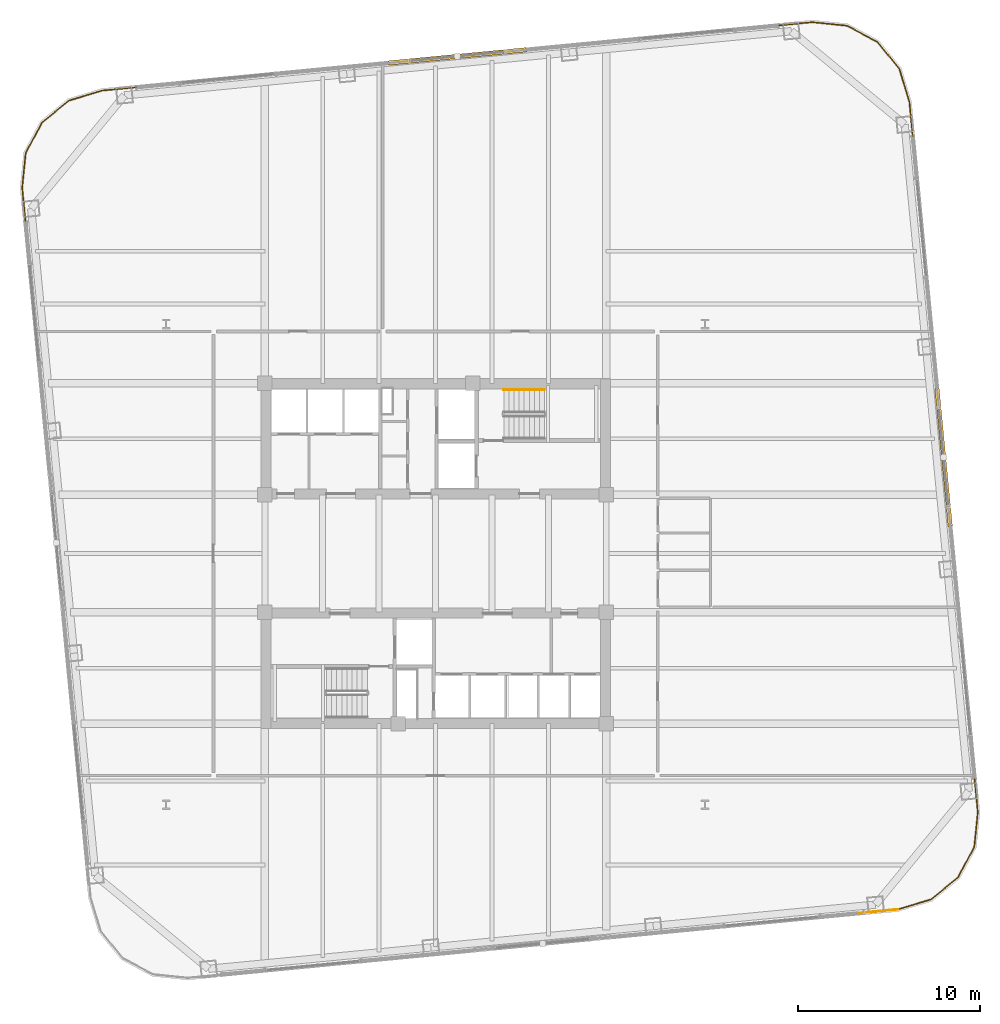
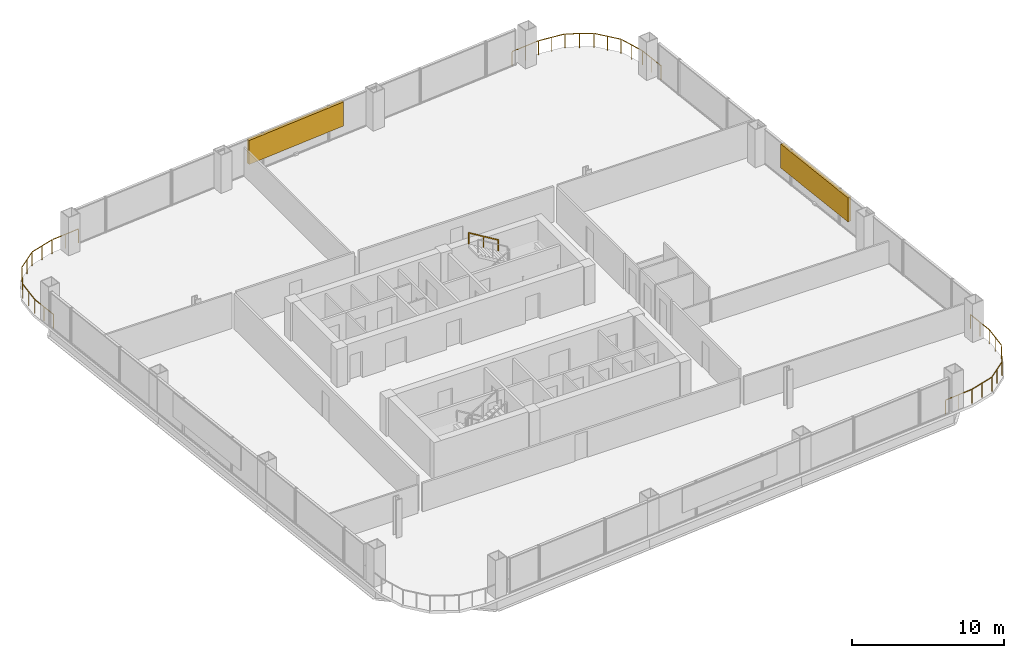
# One storey, part 26 of 26: 5 railings, 2 shading devices.
"""IFC4 building model written with IfcOpenShell, lengths in metres."""

from ifc_helpers import new_model, si_unit, direction, frame, origin, origin_2d, place, context, subcontext, project, spatial, rectangle, extrude, material, type_object, element, save


model = new_model("IFC4")

# Units and contexts
model_context = context("Model", 3, precision=1e-05, world=origin(), true_north=direction((0.0, 1.0)))
body_context = subcontext(model_context, "Body", "Model", "MODEL_VIEW")
ifc_project = project(units=[si_unit("LENGTHUNIT", "METRE"), si_unit("AREAUNIT", "SQUARE_METRE"), si_unit("VOLUMEUNIT", "CUBIC_METRE"), si_unit("PLANEANGLEUNIT", "RADIAN"), si_unit("MASSUNIT", "GRAM", prefix="KILO")], contexts=[model_context])

# Site, building, storey
site_placement = place(None, origin())
site = spatial("IfcSite", under=ifc_project, at=site_placement, CompositionType="ELEMENT")
building_placement = place(site_placement, origin())
building = spatial("IfcBuilding", under=site, at=building_placement, Name="Qhalaya Broadcast Tower", CompositionType="ELEMENT")
storey_placement = place(building_placement, frame((0.0, 0.0, 72.5)))
storey = spatial("IfcBuildingStorey", under=building, at=storey_placement, Name="L20", CompositionType="ELEMENT", Elevation=72.5)

# Railings
ifc_material_1 = material(Name="Powder-Coated Galvanised Steel", Category="steel")
railing_type_1 = type_object("IfcRailingType", Name="Stair Wall Handrail 900", PredefinedType="HANDRAIL", material=ifc_material_1)
railing_1_placement = place(storey_placement, frame((5.989990234375, 9.590087890625, 1.6943359375)))
element("IfcRailing", 1, at=railing_1_placement, inside=storey, type_object=railing_type_1, Name="L20 ST-1 Stair Handrail 2", PredefinedType="HANDRAIL", context=body_context, shape_type="SweptSolid", body=[
    extrude(rectangle(XDim=0.048095703125, YDim=0.048095703125, at=origin_2d()), frame((0.0, 0.0, 0.8759765625), z_axis=(-0.855512035549, 0.0, 0.517782924622), x_axis=(0.0, -1.0, 0.0)), (0.0, 0.0, 1.0), 2.618408203125),
    extrude(rectangle(XDim=0.0419921875, YDim=0.0419921875, at=origin_2d()), origin(), (0.0, 0.0, 1.0), 0.849853515625),
    extrude(rectangle(XDim=0.0419921875, YDim=0.0419921875, at=origin_2d()), frame((-1.1201171875, 0.0, 0.677734375)), (0.0, 0.0, 1.0), 0.849853515625),
    extrude(rectangle(XDim=0.0419921875, YDim=0.0419921875, at=origin_2d()), frame((-2.239990234375, 0.0, 1.355712890625)), (0.0, 0.0, 1.0), 0.849853515625),
])
railing_type_2 = type_object("IfcRailingType", Name="Terrace, Sky-Pool & Lookout Glass Balustrade 1150", PredefinedType="BALUSTRADE", material=ifc_material_1)
railing_2_placement = place(storey_placement, frame((25.38427734375, -18.949951171875, 0.0)))
element("IfcRailing", 2, at=railing_2_placement, inside=storey, type_object=railing_type_2, Name="L20 Rounded Corner Perimeter Guard 01", PredefinedType="BALUSTRADE", context=body_context, shape_type="SweptSolid", body=[
    extrude(rectangle(XDim=0.048095703125, YDim=0.048095703125, at=origin_2d()), frame((0.0, 0.0, 1.1259765625), z_axis=(-0.995402268864, -0.095782687057, 0.0), x_axis=(0.095782687057, -0.995402268864, 0.0)), (0.0, 0.0, 1.0), 2.1181640625),
    extrude(rectangle(XDim=0.0419921875, YDim=0.0419921875, at=origin_2d()), origin(), (0.0, 0.0, 1.0), 1.099853515625),
    extrude(rectangle(XDim=0.0419921875, YDim=0.0419921875, at=origin_2d()), frame((-1.05419921875, -0.1015625, 0.0)), (0.0, 0.0, 1.0), 1.099853515625),
    extrude(rectangle(XDim=0.0419921875, YDim=0.0419921875, at=origin_2d()), frame((-2.1083984375, -0.202880859375, 0.0)), (0.0, 0.0, 1.0), 1.099853515625),
])
railing_3_placement = place(storey_placement, frame((-22.501708984375, 18.583251953125, 0.0)))
element("IfcRailing", 3, at=railing_3_placement, inside=storey, type_object=railing_type_2, Name="L20 Rounded Corner Perimeter Guard 03", PredefinedType="BALUSTRADE", context=body_context, shape_type="SweptSolid", body=[
    extrude(rectangle(XDim=0.048095703125, YDim=0.048095703125, at=origin_2d()), frame((0.0, 0.0, 1.1259765625), z_axis=(-0.095782687057, 0.995402268864, 0.0), x_axis=(-0.995402268864, -0.095782687057, 0.0)), (0.0, 0.0, 1.0), 2.08935546875),
    extrude(rectangle(XDim=0.048095703125, YDim=0.048095703125, at=origin_2d()), frame((-0.199951171875, 2.13720703125, 1.1259765625), z_axis=(0.100071682341, 0.994980230152, 0.0), x_axis=(-0.994980230152, 0.100071682341, 0.0)), (0.0, 0.0, 1.0), 1.857421875),
    extrude(rectangle(XDim=0.048095703125, YDim=0.048095703125, at=origin_2d()), frame((0.00244140625, 4.039306640625, 1.1259765625), z_axis=(0.473342342286, 0.880878554058, 0.0), x_axis=(-0.880878554058, 0.473342342286, 0.0)), (0.0, 0.0, 1.0), 1.845458984375),
    extrude(rectangle(XDim=0.048095703125, YDim=0.048095703125, at=origin_2d()), frame((0.912109375, 5.708740234375, 1.1259765625), z_axis=(0.774420039683, 0.632671796541, 0.0), x_axis=(-0.632671796541, 0.774420039683, 0.0)), (0.0, 0.0, 1.0), 1.845458984375),
    extrude(rectangle(XDim=0.048095703125, YDim=0.048095703125, at=origin_2d()), frame((2.39111328125, 6.90283203125, 1.1259765625), z_axis=(0.95756627332, 0.288213171456, 0.0), x_axis=(-0.288213171456, 0.95756627332, 0.0)), (0.0, 0.0, 1.0), 1.857421875),
    extrude(rectangle(XDim=0.048095703125, YDim=0.048095703125, at=origin_2d()), frame((4.226318359375, 7.44921875, 1.1259765625), z_axis=(0.995391273094, 0.095896889673, 0.0), x_axis=(-0.095896889673, 0.995391273094, 0.0)), (0.0, 0.0, 1.0), 2.08935546875),
    extrude(rectangle(XDim=0.0419921875, YDim=0.0419921875, at=origin_2d()), origin(), (0.0, 0.0, 1.0), 1.099853515625),
    extrude(rectangle(XDim=0.0419921875, YDim=0.0419921875, at=origin_2d()), frame((-0.1015625, 1.05419921875, 0.0)), (0.0, 0.0, 1.0), 1.099853515625),
    extrude(rectangle(XDim=0.0419921875, YDim=0.0419921875, at=origin_2d()), frame((-0.202880859375, 2.1083984375, 0.0)), (0.0, 0.0, 1.0), 1.099853515625),
    extrude(rectangle(XDim=0.0419921875, YDim=0.0419921875, at=origin_2d()), frame((-0.10693359375, 3.06103515625, 0.0)), (0.0, 0.0, 1.0), 1.099853515625),
    extrude(rectangle(XDim=0.0419921875, YDim=0.0419921875, at=origin_2d()), frame((-0.01123046875, 4.013916015625, 0.0)), (0.0, 0.0, 1.0), 1.099853515625),
    extrude(rectangle(XDim=0.0419921875, YDim=0.0419921875, at=origin_2d()), frame((0.439208984375, 4.85205078125, 0.0)), (0.0, 0.0, 1.0), 1.099853515625),
    extrude(rectangle(XDim=0.0419921875, YDim=0.0419921875, at=origin_2d()), frame((0.8896484375, 5.6904296875, 0.0)), (0.0, 0.0, 1.0), 1.099853515625),
    extrude(rectangle(XDim=0.0419921875, YDim=0.0419921875, at=origin_2d()), frame((1.62646484375, 6.29248046875, 0.0)), (0.0, 0.0, 1.0), 1.099853515625),
    extrude(rectangle(XDim=0.0419921875, YDim=0.0419921875, at=origin_2d()), frame((2.363525390625, 6.89453125, 0.0)), (0.0, 0.0, 1.0), 1.099853515625),
    extrude(rectangle(XDim=0.0419921875, YDim=0.0419921875, at=origin_2d()), frame((3.280517578125, 7.17041015625, 0.0)), (0.0, 0.0, 1.0), 1.099853515625),
    extrude(rectangle(XDim=0.0419921875, YDim=0.0419921875, at=origin_2d()), frame((4.197509765625, 7.446533203125, 0.0)), (0.0, 0.0, 1.0), 1.099853515625),
    extrude(rectangle(XDim=0.0419921875, YDim=0.0419921875, at=origin_2d()), frame((5.251708984375, 7.548095703125, 0.0)), (0.0, 0.0, 1.0), 1.099853515625),
    extrude(rectangle(XDim=0.0419921875, YDim=0.0419921875, at=origin_2d()), frame((6.305908203125, 7.649658203125, 0.0)), (0.0, 0.0, 1.0), 1.099853515625),
])
railing_4_placement = place(storey_placement, frame((18.583251953125, 29.581787109375, 0.0)))
element("IfcRailing", 4, at=railing_4_placement, inside=storey, type_object=railing_type_2, Name="L20 Rounded Corner Perimeter Guard 04", PredefinedType="BALUSTRADE", context=body_context, shape_type="SweptSolid", body=[
    extrude(rectangle(XDim=0.048095703125, YDim=0.048095703125, at=origin_2d()), frame((0.0, 0.0, 1.1259765625), z_axis=(0.995402268864, 0.095782687057, 0.0), x_axis=(-0.095782687057, 0.995402268864, 0.0)), (0.0, 0.0, 1.0), 2.08935546875),
    extrude(rectangle(XDim=0.048095703125, YDim=0.048095703125, at=origin_2d()), frame((2.13720703125, 0.199951171875, 1.1259765625), z_axis=(0.994980230152, -0.100071682341, 0.0), x_axis=(0.100071682341, 0.994980230152, 0.0)), (0.0, 0.0, 1.0), 1.857421875),
    extrude(rectangle(XDim=0.048095703125, YDim=0.048095703125, at=origin_2d()), frame((4.039306640625, -0.00244140625, 1.1259765625), z_axis=(0.880878554058, -0.473342342286, 0.0), x_axis=(0.473342342286, 0.880878554058, 0.0)), (0.0, 0.0, 1.0), 1.845458984375),
    extrude(rectangle(XDim=0.048095703125, YDim=0.048095703125, at=origin_2d()), frame((5.708740234375, -0.912109375, 1.1259765625), z_axis=(0.632671796541, -0.774420039683, 0.0), x_axis=(0.774420039683, 0.632671796541, 0.0)), (0.0, 0.0, 1.0), 1.845458984375),
    extrude(rectangle(XDim=0.048095703125, YDim=0.048095703125, at=origin_2d()), frame((6.90283203125, -2.39111328125, 1.1259765625), z_axis=(0.288213171456, -0.95756627332, 0.0), x_axis=(0.95756627332, 0.288213171456, 0.0)), (0.0, 0.0, 1.0), 1.857421875),
    extrude(rectangle(XDim=0.048095703125, YDim=0.048095703125, at=origin_2d()), frame((7.44921875, -4.226318359375, 1.1259765625), z_axis=(0.095896889673, -0.995391273094, 0.0), x_axis=(0.995391273094, 0.095896889673, 0.0)), (0.0, 0.0, 1.0), 2.08935546875),
    extrude(rectangle(XDim=0.0419921875, YDim=0.0419921875, at=origin_2d()), origin(), (0.0, 0.0, 1.0), 1.099853515625),
    extrude(rectangle(XDim=0.0419921875, YDim=0.0419921875, at=origin_2d()), frame((1.05419921875, 0.1015625, 0.0)), (0.0, 0.0, 1.0), 1.099853515625),
    extrude(rectangle(XDim=0.0419921875, YDim=0.0419921875, at=origin_2d()), frame((2.1083984375, 0.202880859375, 0.0)), (0.0, 0.0, 1.0), 1.099853515625),
    extrude(rectangle(XDim=0.0419921875, YDim=0.0419921875, at=origin_2d()), frame((3.06103515625, 0.10693359375, 0.0)), (0.0, 0.0, 1.0), 1.099853515625),
    extrude(rectangle(XDim=0.0419921875, YDim=0.0419921875, at=origin_2d()), frame((4.013916015625, 0.01123046875, 0.0)), (0.0, 0.0, 1.0), 1.099853515625),
    extrude(rectangle(XDim=0.0419921875, YDim=0.0419921875, at=origin_2d()), frame((4.85205078125, -0.439208984375, 0.0)), (0.0, 0.0, 1.0), 1.099853515625),
    extrude(rectangle(XDim=0.0419921875, YDim=0.0419921875, at=origin_2d()), frame((5.6904296875, -0.8896484375, 0.0)), (0.0, 0.0, 1.0), 1.099853515625),
    extrude(rectangle(XDim=0.0419921875, YDim=0.0419921875, at=origin_2d()), frame((6.29248046875, -1.62646484375, 0.0)), (0.0, 0.0, 1.0), 1.099853515625),
    extrude(rectangle(XDim=0.0419921875, YDim=0.0419921875, at=origin_2d()), frame((6.89453125, -2.363525390625, 0.0)), (0.0, 0.0, 1.0), 1.099853515625),
    extrude(rectangle(XDim=0.0419921875, YDim=0.0419921875, at=origin_2d()), frame((7.17041015625, -3.280517578125, 0.0)), (0.0, 0.0, 1.0), 1.099853515625),
    extrude(rectangle(XDim=0.0419921875, YDim=0.0419921875, at=origin_2d()), frame((7.446533203125, -4.197509765625, 0.0)), (0.0, 0.0, 1.0), 1.099853515625),
    extrude(rectangle(XDim=0.0419921875, YDim=0.0419921875, at=origin_2d()), frame((7.548095703125, -5.251708984375, 0.0)), (0.0, 0.0, 1.0), 1.099853515625),
    extrude(rectangle(XDim=0.0419921875, YDim=0.0419921875, at=origin_2d()), frame((7.649658203125, -6.305908203125, 0.0)), (0.0, 0.0, 1.0), 1.099853515625),
])
railing_5_placement = place(storey_placement, frame((29.581787109375, -11.50341796875, 0.0)))
element("IfcRailing", 5, at=railing_5_placement, inside=storey, type_object=railing_type_2, Name="L20 Rounded Corner Perimeter Guard 05", PredefinedType="BALUSTRADE", context=body_context, shape_type="SweptSolid", body=[
    extrude(rectangle(XDim=0.048095703125, YDim=0.048095703125, at=origin_2d()), frame((0.0, 0.0, 1.1259765625), z_axis=(0.095782687057, -0.995402268864, 0.0), x_axis=(0.995402268864, 0.095782687057, 0.0)), (0.0, 0.0, 1.0), 2.08935546875),
    extrude(rectangle(XDim=0.048095703125, YDim=0.048095703125, at=origin_2d()), frame((0.199951171875, -2.13720703125, 1.1259765625), z_axis=(-0.100084377028, -0.994978953282, 0.0), x_axis=(0.994978953282, -0.100084377028, 0.0)), (0.0, 0.0, 1.0), 1.857177734375),
    extrude(rectangle(XDim=0.048095703125, YDim=0.048095703125, at=origin_2d()), frame((-0.00244140625, -4.0390625, 1.1259765625), z_axis=(-0.473288861424, -0.880907290044, 0.0), x_axis=(0.880907290044, -0.473288861424, 0.0)), (0.0, 0.0, 1.0), 1.845703125),
    extrude(rectangle(XDim=0.048095703125, YDim=0.048095703125, at=origin_2d()), frame((-0.912109375, -5.708740234375, 1.1259765625), z_axis=(-0.774420039683, -0.632671796541, 0.0), x_axis=(0.632671796541, -0.774420039683, 0.0)), (0.0, 0.0, 1.0), 1.845458984375),
    extrude(rectangle(XDim=0.048095703125, YDim=0.048095703125, at=origin_2d()), frame((-2.39111328125, -6.90283203125, 1.1259765625), z_axis=(-0.95756627332, -0.288213171456, 0.0), x_axis=(0.288213171456, -0.95756627332, 0.0)), (0.0, 0.0, 1.0), 1.886474609375),
    extrude(rectangle(XDim=0.0419921875, YDim=0.0419921875, at=origin_2d()), origin(), (0.0, 0.0, 1.0), 1.099853515625),
    extrude(rectangle(XDim=0.0419921875, YDim=0.0419921875, at=origin_2d()), frame((0.1015625, -1.05419921875, 0.0)), (0.0, 0.0, 1.0), 1.099853515625),
    extrude(rectangle(XDim=0.0419921875, YDim=0.0419921875, at=origin_2d()), frame((0.202880859375, -2.1083984375, 0.0)), (0.0, 0.0, 1.0), 1.099853515625),
    extrude(rectangle(XDim=0.0419921875, YDim=0.0419921875, at=origin_2d()), frame((0.10693359375, -3.06103515625, 0.0)), (0.0, 0.0, 1.0), 1.099853515625),
    extrude(rectangle(XDim=0.0419921875, YDim=0.0419921875, at=origin_2d()), frame((0.01123046875, -4.013671875, 0.0)), (0.0, 0.0, 1.0), 1.099853515625),
    extrude(rectangle(XDim=0.0419921875, YDim=0.0419921875, at=origin_2d()), frame((-0.439208984375, -4.85205078125, 0.0)), (0.0, 0.0, 1.0), 1.099853515625),
    extrude(rectangle(XDim=0.0419921875, YDim=0.0419921875, at=origin_2d()), frame((-0.8896484375, -5.6904296875, 0.0)), (0.0, 0.0, 1.0), 1.099853515625),
    extrude(rectangle(XDim=0.0419921875, YDim=0.0419921875, at=origin_2d()), frame((-1.62646484375, -6.29248046875, 0.0)), (0.0, 0.0, 1.0), 1.099853515625),
    extrude(rectangle(XDim=0.0419921875, YDim=0.0419921875, at=origin_2d()), frame((-2.363525390625, -6.89453125, 0.0)), (0.0, 0.0, 1.0), 1.099853515625),
    extrude(rectangle(XDim=0.0419921875, YDim=0.0419921875, at=origin_2d()), frame((-3.280517578125, -7.17041015625, 0.0)), (0.0, 0.0, 1.0), 1.099853515625),
    extrude(rectangle(XDim=0.0419921875, YDim=0.0419921875, at=origin_2d()), frame((-4.197509765625, -7.446533203125, 0.0)), (0.0, 0.0, 1.0), 1.099853515625),
])

# Shading devices
ifc_material_2 = material(Name="Fired Architectural Terracotta", Category="masonry")
shading_device_type = type_object("IfcShadingDeviceType", Name="Terracotta Baguette Solar Screen Assembly TBS-01", PredefinedType="USERDEFINED", material=ifc_material_2)
for number, where, z_axis, x_axis, name in (
    (6, (27.9072265625, 5.88623046875, 0.79248046875), (0.0, 0.0, 1.0), (-0.09584575252, 0.995396198367, 0.0), "L20 Fired Terracotta Baguette Screen E"),
    (7, (1.193603515625, 27.9072265625, 0.79248046875), (0.0, 0.0, 1.0), (-0.995396198367, -0.09584575252, 0.0), "L20 Fired Terracotta Baguette Screen N"),
):
    element("IfcShadingDevice", number, at=place(storey_placement, frame(where, z_axis=z_axis, x_axis=x_axis)), inside=storey, type_object=shading_device_type, Name=name, ObjectType="BAGUETTE", PredefinedType="USERDEFINED", context=body_context, shape_type="SweptSolid", body=[
        extrude(rectangle(XDim=7.60009765625, YDim=0.239990234375, at=origin_2d()), origin(), (0.0, 0.0, 1.0), 1.924072265625),
    ])

save(model, "model.ifc")
